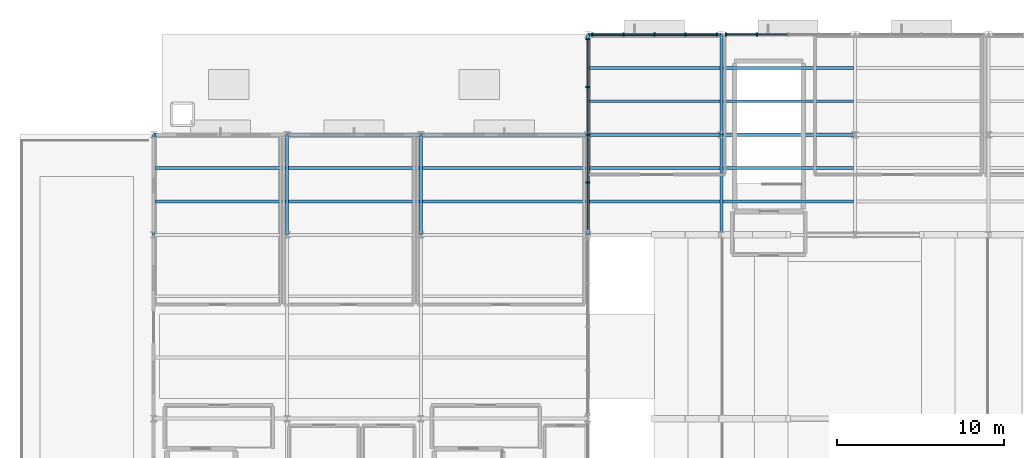
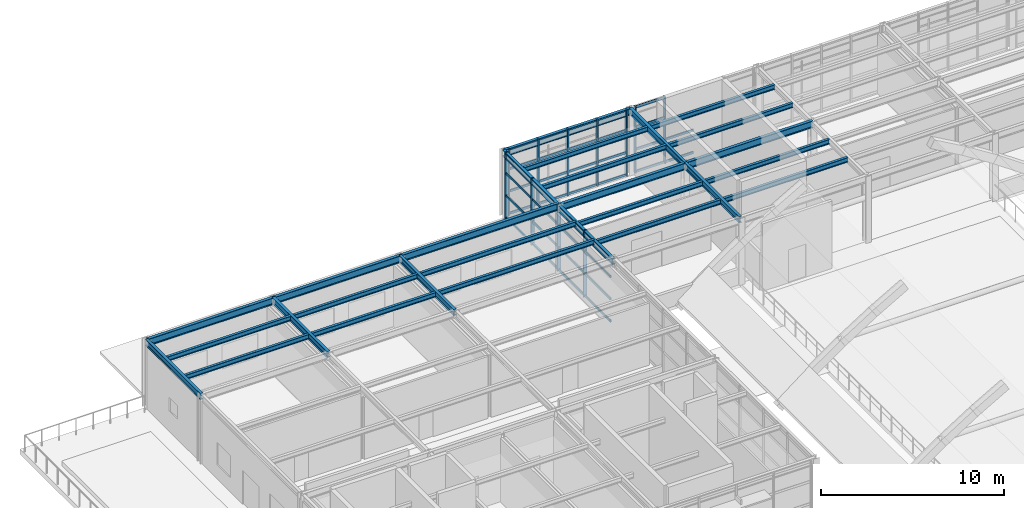
# One storey, part 30 of 82: 49 members, 27 beams, 3 elements without a shape of their own.
"""IFC4 building model written with IfcOpenShell, lengths in metres."""

from ifc_helpers import new_model, si_unit, direction, frame, origin, origin_2d, place, context, subcontext, project, spatial, rectangle, i_section, extrude, material, layer, layer_set, material_profile, profile_set, type_object, element, aggregate, save


model = new_model("IFC4")

# Units and contexts
model_context = context("Model", 3, precision=1e-05, world=origin(), true_north=direction((0.0, 1.0)))
body_context = subcontext(model_context, "Body", "Model", "MODEL_VIEW")
ifc_project = project(units=[si_unit("LENGTHUNIT", "METRE"), si_unit("AREAUNIT", "SQUARE_METRE"), si_unit("VOLUMEUNIT", "CUBIC_METRE"), si_unit("PLANEANGLEUNIT", "RADIAN"), si_unit("MASSUNIT", "GRAM", prefix="KILO")], contexts=[model_context])

# Site, building, storey
site_placement = place(None, origin())
site = spatial("IfcSite", under=ifc_project, at=site_placement, CompositionType="ELEMENT")
building_placement = place(site_placement, origin())
building = spatial("IfcBuilding", under=site, at=building_placement, Name="Sitalva Quay Ferry Terminal", CompositionType="ELEMENT")
storey_placement = place(building_placement, frame((0.0, 0.0, 5.39990234375)))
storey = spatial("IfcBuildingStorey", under=building, at=storey_placement, Name="L02", CompositionType="ELEMENT", Elevation=5.39990234375)

# Beams
ifc_material_1 = material(Name="Structural Steel S355JR", Category="steel")
ifc_material_profile_1 = material_profile(ifc_material_1, i_section(OverallWidth=0.180908203125, OverallDepth=0.4169921875, WebThickness=0.010986328125, FlangeThickness=0.018310546875, FilletRadius=0.012939453125, at=origin_2d()), Name="W410x85")
ifc_profile_set_1 = profile_set([ifc_material_profile_1], Name="Structural Steel S355JR")
beam_type_1 = type_object("IfcBeamType", Name="Beam_W410x85", PredefinedType="BEAM", material=ifc_profile_set_1)
for number, where, z_axis, x_axis, name in (
    (1, (16.0, 100.0, 4.3515625), (0.0, 1.0, 0.0), (-1.0, 0.0, 0.0), "L02 Primary Y girder 0972"),
    (2, (24.0, 100.0, 4.3515625), (0.0, 1.0, 0.0), (-1.0, 0.0, 0.0), "L02 Primary Y girder 0975"),
    (3, (32.0, 100.0, 4.3515625), (0.0, 1.0, 0.0), (-1.0, 0.0, 0.0), "L02 Primary Y girder 0978"),
    (4, (42.0, 100.0, 4.24169921875), (0.0, 1.0, 0.0), (-1.0, 0.0, 0.0), "L02 Primary Y girder 0981"),
    (5, (42.0, 106.0, 4.24169921875), (0.0, 1.0, 0.0), (-1.0, 0.0, 0.0), "L02 Primary Y girder 1141"),
    (6, (50.0, 100.0, 4.24169921875), (0.0, 1.0, 0.0), (-1.0, 0.0, 0.0), "L02 Primary Y girder 1142"),
    (7, (50.0, 106.0, 4.24169921875), (0.0, 1.0, 0.0), (-1.0, 0.0, 0.0), "L02 Primary Y girder 1143"),
):
    element("IfcBeam", number, at=place(storey_placement, frame(where, z_axis=z_axis, x_axis=x_axis)), inside=storey, type_object=beam_type_1, Name=name, PredefinedType="BEAM", context=body_context, shape_type="SweptSolid", body=[
        extrude(i_section(OverallWidth=0.180908203125, OverallDepth=0.4169921875, WebThickness=0.010986328125, FlangeThickness=0.018310546875, FilletRadius=0.012939453125, at=origin_2d()), origin(), (0.0, 0.0, 1.0), 6.0),
    ])
ifc_material_2 = material(Name="Structural Steel S355JR", Category="steel")
ifc_material_profile_2 = material_profile(ifc_material_2, i_section(OverallWidth=0.19091796875, OverallDepth=0.4599609375, WebThickness=0.010009765625, FlangeThickness=0.01611328125, FilletRadius=0.013916015625, at=origin_2d()), Name="W460x82")
ifc_profile_set_2 = profile_set([ifc_material_profile_2], Name="Structural Steel S355JR")
beam_type_2 = type_object("IfcBeamType", Name="Beam_W460x82", PredefinedType="BEAM", material=ifc_profile_set_2)
for number, where, z_axis, x_axis, name in (
    (8, (16.0, 106.0, 4.330078125), (1.0, 0.0, 0.0), (0.0, 1.0, 0.0), "L02 Primary X girder 0967"),
    (9, (24.0, 106.0, 4.330078125), (1.0, 0.0, 0.0), (0.0, 1.0, 0.0), "L02 Primary X girder 0968"),
):
    element("IfcBeam", number, at=place(storey_placement, frame(where, z_axis=z_axis, x_axis=x_axis)), inside=storey, type_object=beam_type_2, Name=name, PredefinedType="BEAM", context=body_context, shape_type="SweptSolid", body=[
        extrude(i_section(OverallWidth=0.19091796875, OverallDepth=0.4599609375, WebThickness=0.010009765625, FlangeThickness=0.01611328125, FilletRadius=0.013916015625, at=origin_2d()), origin(), (0.0, 0.0, 1.0), 8.0),
    ])
beam_1_placement = place(storey_placement, frame((32.0, 106.0, 4.330078125), z_axis=(1.0, 0.0, 0.0), x_axis=(0.0, 1.0, 0.0)))
element("IfcBeam", 10, at=beam_1_placement, inside=storey, type_object=beam_type_2, Name="L02 Primary X girder 0969", PredefinedType="BEAM", context=body_context, shape_type="SweptSolid", body=[
    extrude(i_section(OverallWidth=0.19091796875, OverallDepth=0.4599609375, WebThickness=0.010009765625, FlangeThickness=0.01611328125, FilletRadius=0.013916015625, at=origin_2d()), origin(), (0.0, 0.0, 1.0), 10.0),
])
for number, where, z_axis, x_axis, name in (
    (11, (42.0, 106.0, 4.22021484375), (1.0, 0.0, 0.0), (0.0, 1.0, 0.0), "L02 Primary X girder 1133"),
    (12, (50.0, 106.0, 4.22021484375), (1.0, 0.0, 0.0), (0.0, 1.0, 0.0), "L02 Primary X girder 1134"),
    (13, (42.0, 112.0, 4.22021484375), (1.0, 0.0, 0.0), (0.0, 1.0, 0.0), "L02 Primary X girder 1137"),
):
    element("IfcBeam", number, at=place(storey_placement, frame(where, z_axis=z_axis, x_axis=x_axis)), inside=storey, type_object=beam_type_2, Name=name, PredefinedType="BEAM", context=body_context, shape_type="SweptSolid", body=[
        extrude(i_section(OverallWidth=0.19091796875, OverallDepth=0.4599609375, WebThickness=0.010009765625, FlangeThickness=0.01611328125, FilletRadius=0.013916015625, at=origin_2d()), origin(), (0.0, 0.0, 1.0), 8.0),
    ])
ifc_material_3 = material(Name="Structural Steel S355JR", Category="steel")
ifc_material_profile_3 = material_profile(ifc_material_3, i_section(OverallWidth=0.166015625, OverallDepth=0.31298828125, WebThickness=0.006591796875, FlangeThickness=0.01123046875, FilletRadius=0.010986328125, at=origin_2d()), Name="W310x45")
ifc_profile_set_3 = profile_set([ifc_material_profile_3], Name="Structural Steel S355JR")
beam_type_3 = type_object("IfcBeamType", Name="Joist_W310x45", PredefinedType="JOIST", material=ifc_profile_set_3)
for number, where, z_axis, x_axis, name in (
    (14, (16.090576171875, 102.0, 4.403564453125), (1.0, 0.0, 0.0), (0.0, 1.0, 0.0), "L02 Secondary joist 0994"),
    (15, (24.090576171875, 102.0, 4.403564453125), (1.0, 0.0, 0.0), (0.0, 1.0, 0.0), "L02 Secondary joist 0995"),
):
    element("IfcBeam", number, at=place(storey_placement, frame(where, z_axis=z_axis, x_axis=x_axis)), inside=storey, type_object=beam_type_3, Name=name, PredefinedType="JOIST", context=body_context, shape_type="SweptSolid", body=[
        extrude(i_section(OverallWidth=0.166015625, OverallDepth=0.31298828125, WebThickness=0.006591796875, FlangeThickness=0.01123046875, FilletRadius=0.010986328125, at=origin_2d()), origin(), (0.0, 0.0, 1.0), 7.81884765625),
    ])
beam_2_placement = place(storey_placement, frame((32.090576171875, 102.0, 4.403564453125), z_axis=(1.0, 0.0, 0.0), x_axis=(0.0, 1.0, 0.0)))
element("IfcBeam", 16, at=beam_2_placement, inside=storey, type_object=beam_type_3, Name="L02 Secondary joist 0996", PredefinedType="JOIST", context=body_context, shape_type="SweptSolid", body=[
    extrude(i_section(OverallWidth=0.166015625, OverallDepth=0.31298828125, WebThickness=0.006591796875, FlangeThickness=0.01123046875, FilletRadius=0.010986328125, at=origin_2d()), origin(), (0.0, 0.0, 1.0), 9.81884765625),
])
for number, where, z_axis, x_axis, name in (
    (17, (16.090576171875, 104.0, 4.403564453125), (1.0, 0.0, 0.0), (0.0, 1.0, 0.0), "L02 Secondary joist 0997"),
    (18, (24.090576171875, 104.0, 4.403564453125), (1.0, 0.0, 0.0), (0.0, 1.0, 0.0), "L02 Secondary joist 0998"),
):
    element("IfcBeam", number, at=place(storey_placement, frame(where, z_axis=z_axis, x_axis=x_axis)), inside=storey, type_object=beam_type_3, Name=name, PredefinedType="JOIST", context=body_context, shape_type="SweptSolid", body=[
        extrude(i_section(OverallWidth=0.166015625, OverallDepth=0.31298828125, WebThickness=0.006591796875, FlangeThickness=0.01123046875, FilletRadius=0.010986328125, at=origin_2d()), origin(), (0.0, 0.0, 1.0), 7.81884765625),
    ])
beam_3_placement = place(storey_placement, frame((32.090576171875, 104.0, 4.403564453125), z_axis=(1.0, 0.0, 0.0), x_axis=(0.0, 1.0, 0.0)))
element("IfcBeam", 19, at=beam_3_placement, inside=storey, type_object=beam_type_3, Name="L02 Secondary joist 0999", PredefinedType="JOIST", context=body_context, shape_type="SweptSolid", body=[
    extrude(i_section(OverallWidth=0.166015625, OverallDepth=0.31298828125, WebThickness=0.006591796875, FlangeThickness=0.01123046875, FilletRadius=0.010986328125, at=origin_2d()), origin(), (0.0, 0.0, 1.0), 9.81884765625),
])
for number, where, z_axis, x_axis, name in (
    (20, (42.090576171875, 102.0, 4.293701171875), (1.0, 0.0, 0.0), (0.0, 1.0, 0.0), "L02 Secondary joist 1149"),
    (21, (50.090576171875, 102.0, 4.293701171875), (1.0, 0.0, 0.0), (0.0, 1.0, 0.0), "L02 Secondary joist 1150"),
    (22, (42.090576171875, 104.0, 4.293701171875), (1.0, 0.0, 0.0), (0.0, 1.0, 0.0), "L02 Secondary joist 1153"),
    (23, (50.090576171875, 104.0, 4.293701171875), (1.0, 0.0, 0.0), (0.0, 1.0, 0.0), "L02 Secondary joist 1154"),
    (24, (42.090576171875, 108.0, 4.293701171875), (1.0, 0.0, 0.0), (0.0, 1.0, 0.0), "L02 Secondary joist 1157"),
    (25, (50.090576171875, 108.0, 4.293701171875), (1.0, 0.0, 0.0), (0.0, 1.0, 0.0), "L02 Secondary joist 1158"),
    (26, (42.090576171875, 110.0, 4.293701171875), (1.0, 0.0, 0.0), (0.0, 1.0, 0.0), "L02 Secondary joist 1161"),
    (27, (50.090576171875, 110.0, 4.293701171875), (1.0, 0.0, 0.0), (0.0, 1.0, 0.0), "L02 Secondary joist 1162"),
):
    element("IfcBeam", number, at=place(storey_placement, frame(where, z_axis=z_axis, x_axis=x_axis)), inside=storey, type_object=beam_type_3, Name=name, PredefinedType="JOIST", context=body_context, shape_type="SweptSolid", body=[
        extrude(i_section(OverallWidth=0.166015625, OverallDepth=0.31298828125, WebThickness=0.006591796875, FlangeThickness=0.01123046875, FilletRadius=0.010986328125, at=origin_2d()), origin(), (0.0, 0.0, 1.0), 7.81884765625),
    ])

# Curtain wall, members
ifc_material_4 = material(Name="Anodised Aluminium & Low-E Glazing", Category="aluminium")
ifc_layer = layer(ifc_material_4, 0.159912109375)
ifc_layer_set = layer_set([ifc_layer], Name="Anodised Aluminium & Low-E Glazing")
curtain_wall_type = type_object("IfcCurtainWallType", Name="CW_Office_Unitised", PredefinedType="USERDEFINED", material=ifc_layer_set)
curtain_wall_1_placement = place(storey_placement, origin())
curtain_wall_1 = element("IfcCurtainWall", 28, at=curtain_wall_1_placement, inside=storey, type_object=curtain_wall_type, Name="L02 forecourt west return glazing (CW-L02-113)", ObjectType="CURTAIN_WALL", PredefinedType="USERDEFINED")
ifc_material_5 = material(Name="Anodised Aluminium 6063-T6", Category="aluminium")
ifc_material_profile_4 = material_profile(ifc_material_5, rectangle(XDim=0.074951171875, YDim=0.219970703125, at=origin_2d()), Name="ALU75x220")
ifc_profile_set_4 = profile_set([ifc_material_profile_4], Name="Anodised Aluminium 6063-T6")
member_type_1 = type_object("IfcMemberType", Name="Mullion_Alu_75x160", PredefinedType="MULLION", material=ifc_profile_set_4)
member_1_placement = place(storey_placement, frame((42.0, 103.139892578125, 0.0), z_axis=(0.0, 0.0, 1.0), x_axis=(0.0, 1.0, 0.0)))
member_1 = element("IfcMember", 29, at=member_1_placement, type_object=member_type_1, Name="CW-L02-113-M1", PredefinedType="MULLION", context=body_context, shape_type="SweptSolid", body=[
    extrude(rectangle(XDim=0.074951171875, YDim=0.219970703125, at=origin_2d()), origin(), (0.0, 0.0, 1.0), 4.4501953125),
])
member_2_placement = place(storey_placement, frame((42.0, 106.0, 0.0), z_axis=(0.0, 0.0, 1.0), x_axis=(0.0, 1.0, 0.0)))
member_2 = element("IfcMember", 30, at=member_2_placement, type_object=member_type_1, Name="CW-L02-113-M2", PredefinedType="MULLION", context=body_context, shape_type="SweptSolid", body=[
    extrude(rectangle(XDim=0.074951171875, YDim=0.219970703125, at=origin_2d()), origin(), (0.0, 0.0, 1.0), 4.4501953125),
])
member_3_placement = place(storey_placement, frame((42.0, 108.860107421875, 0.0), z_axis=(0.0, 0.0, 1.0), x_axis=(0.0, 1.0, 0.0)))
member_3 = element("IfcMember", 31, at=member_3_placement, type_object=member_type_1, Name="CW-L02-113-M3", PredefinedType="MULLION", context=body_context, shape_type="SweptSolid", body=[
    extrude(rectangle(XDim=0.074951171875, YDim=0.219970703125, at=origin_2d()), origin(), (0.0, 0.0, 1.0), 4.4501953125),
])
member_4_placement = place(storey_placement, frame((42.0, 111.719970703125, 0.0), z_axis=(0.0, 0.0, 1.0), x_axis=(0.0, 1.0, 0.0)))
member_4 = element("IfcMember", 32, at=member_4_placement, type_object=member_type_1, Name="CW-L02-113-M4", PredefinedType="MULLION", context=body_context, shape_type="SweptSolid", body=[
    extrude(rectangle(XDim=0.074951171875, YDim=0.219970703125, at=origin_2d()), origin(), (0.0, 0.0, 1.0), 4.4501953125),
])

curtain_wall_2_placement = place(storey_placement, origin())
curtain_wall_2 = element("IfcCurtainWall", 33, at=curtain_wall_2_placement, inside=storey, type_object=curtain_wall_type, Name="L02 forecourt horizontal curtain wall (CW-L02-115)", ObjectType="CURTAIN_WALL", PredefinedType="USERDEFINED")
member_5_placement = place(storey_placement, frame((42.280029296875, 112.0, 0.0), z_axis=(0.0, 0.0, 1.0), x_axis=(1.0, 0.0, 0.0)))
member_5 = element("IfcMember", 34, at=member_5_placement, type_object=member_type_1, Name="CW-L02-115-M0", PredefinedType="MULLION", context=body_context, shape_type="SweptSolid", body=[
    extrude(rectangle(XDim=0.074951171875, YDim=0.219970703125, at=origin_2d()), origin(), (0.0, 0.0, 1.0), 4.4501953125),
])
member_6_placement = place(storey_placement, frame((44.139892578125, 112.0, 0.0), z_axis=(0.0, 0.0, 1.0), x_axis=(1.0, 0.0, 0.0)))
member_6 = element("IfcMember", 35, at=member_6_placement, type_object=member_type_1, Name="CW-L02-115-M1", PredefinedType="MULLION", context=body_context, shape_type="SweptSolid", body=[
    extrude(rectangle(XDim=0.074951171875, YDim=0.219970703125, at=origin_2d()), origin(), (0.0, 0.0, 1.0), 4.4501953125),
])
member_7_placement = place(storey_placement, frame((46.0, 112.0, 0.0), z_axis=(0.0, 0.0, 1.0), x_axis=(1.0, 0.0, 0.0)))
member_7 = element("IfcMember", 36, at=member_7_placement, type_object=member_type_1, Name="CW-L02-115-M2", PredefinedType="MULLION", context=body_context, shape_type="SweptSolid", body=[
    extrude(rectangle(XDim=0.074951171875, YDim=0.219970703125, at=origin_2d()), origin(), (0.0, 0.0, 1.0), 4.4501953125),
])
member_8_placement = place(storey_placement, frame((47.860107421875, 112.0, 0.0), z_axis=(0.0, 0.0, 1.0), x_axis=(1.0, 0.0, 0.0)))
member_8 = element("IfcMember", 37, at=member_8_placement, type_object=member_type_1, Name="CW-L02-115-M3", PredefinedType="MULLION", context=body_context, shape_type="SweptSolid", body=[
    extrude(rectangle(XDim=0.074951171875, YDim=0.219970703125, at=origin_2d()), origin(), (0.0, 0.0, 1.0), 4.4501953125),
])
member_9_placement = place(storey_placement, frame((49.719970703125, 112.0, 0.0), z_axis=(0.0, 0.0, 1.0), x_axis=(1.0, 0.0, 0.0)))
member_9 = element("IfcMember", 38, at=member_9_placement, type_object=member_type_1, Name="CW-L02-115-M4", PredefinedType="MULLION", context=body_context, shape_type="SweptSolid", body=[
    extrude(rectangle(XDim=0.074951171875, YDim=0.219970703125, at=origin_2d()), origin(), (0.0, 0.0, 1.0), 4.4501953125),
])

curtain_wall_3_placement = place(storey_placement, origin())
curtain_wall_3 = element("IfcCurtainWall", 39, at=curtain_wall_3_placement, inside=storey, type_object=curtain_wall_type, Name="L02 forecourt horizontal curtain wall (CW-L02-116)", ObjectType="CURTAIN_WALL", PredefinedType="USERDEFINED")
member_10_placement = place(storey_placement, frame((50.280029296875, 112.0, 0.0), z_axis=(0.0, 0.0, 1.0), x_axis=(1.0, 0.0, 0.0)))
member_10 = element("IfcMember", 40, at=member_10_placement, type_object=member_type_1, Name="CW-L02-116-M0", PredefinedType="MULLION", context=body_context, shape_type="SweptSolid", body=[
    extrude(rectangle(XDim=0.074951171875, YDim=0.219970703125, at=origin_2d()), origin(), (0.0, 0.0, 1.0), 4.4501953125),
])
member_11_placement = place(storey_placement, frame((52.139892578125, 112.0, 0.0), z_axis=(0.0, 0.0, 1.0), x_axis=(1.0, 0.0, 0.0)))
member_11 = element("IfcMember", 41, at=member_11_placement, type_object=member_type_1, Name="CW-L02-116-M1", PredefinedType="MULLION", context=body_context, shape_type="SweptSolid", body=[
    extrude(rectangle(XDim=0.074951171875, YDim=0.219970703125, at=origin_2d()), origin(), (0.0, 0.0, 1.0), 4.4501953125),
])

# Member
ifc_material_6 = material(Name="Anodised Aluminium 6063-T6", Category="aluminium")
ifc_material_profile_5 = material_profile(ifc_material_6, rectangle(XDim=0.074951171875, YDim=0.14990234375, at=origin_2d()), Name="ALU75x150")
ifc_profile_set_5 = profile_set([ifc_material_profile_5], Name="Anodised Aluminium 6063-T6")
member_type_2 = type_object("IfcMemberType", Name="Transom_Alu_75x140", PredefinedType="MULLION", material=ifc_profile_set_5)
member_12_placement = place(storey_placement, frame((42.0, 100.3173828125, 0.0751953125), z_axis=(0.0, 1.0, 0.0), x_axis=(-1.0, 0.0, 0.0)))
member_12 = element("IfcMember", 42, at=member_12_placement, type_object=member_type_2, Name="CW-L02-113-T0-0", ObjectType="TRANSOM", PredefinedType="USERDEFINED", context=body_context, shape_type="SweptSolid", body=[
    extrude(rectangle(XDim=0.074951171875, YDim=0.14990234375, at=origin_2d()), origin(), (0.0, 0.0, 1.0), 2.78515625),
])

member_13_placement = place(storey_placement, frame((42.0, 100.3173828125, 1.558349609375), z_axis=(0.0, 1.0, 0.0), x_axis=(-1.0, 0.0, 0.0)))
member_13 = element("IfcMember", 43, at=member_13_placement, type_object=member_type_2, Name="CW-L02-113-T0-1", ObjectType="TRANSOM", PredefinedType="USERDEFINED", context=body_context, shape_type="SweptSolid", body=[
    extrude(rectangle(XDim=0.074951171875, YDim=0.14990234375, at=origin_2d()), origin(), (0.0, 0.0, 1.0), 2.78515625),
])

member_14_placement = place(storey_placement, frame((42.0, 100.3173828125, 3.041748046875), z_axis=(0.0, 1.0, 0.0), x_axis=(-1.0, 0.0, 0.0)))
member_14 = element("IfcMember", 44, at=member_14_placement, type_object=member_type_2, Name="CW-L02-113-T0-2", ObjectType="TRANSOM", PredefinedType="USERDEFINED", context=body_context, shape_type="SweptSolid", body=[
    extrude(rectangle(XDim=0.074951171875, YDim=0.14990234375, at=origin_2d()), origin(), (0.0, 0.0, 1.0), 2.78515625),
])

member_15_placement = place(storey_placement, frame((42.0, 100.3173828125, 4.375), z_axis=(0.0, 1.0, 0.0), x_axis=(-1.0, 0.0, 0.0)))
member_15 = element("IfcMember", 45, at=member_15_placement, type_object=member_type_2, Name="CW-L02-113-T0-3", ObjectType="TRANSOM", PredefinedType="USERDEFINED", context=body_context, shape_type="SweptSolid", body=[
    extrude(rectangle(XDim=0.074951171875, YDim=0.14990234375, at=origin_2d()), origin(), (0.0, 0.0, 1.0), 2.78515625),
])

member_16_placement = place(storey_placement, frame((42.0, 103.177490234375, 0.0751953125), z_axis=(0.0, 1.0, 0.0), x_axis=(-1.0, 0.0, 0.0)))
member_16 = element("IfcMember", 46, at=member_16_placement, type_object=member_type_2, Name="CW-L02-113-T1-0", ObjectType="TRANSOM", PredefinedType="USERDEFINED", context=body_context, shape_type="SweptSolid", body=[
    extrude(rectangle(XDim=0.074951171875, YDim=0.14990234375, at=origin_2d()), origin(), (0.0, 0.0, 1.0), 2.784912109375),
])

member_17_placement = place(storey_placement, frame((42.0, 103.177490234375, 1.558349609375), z_axis=(0.0, 1.0, 0.0), x_axis=(-1.0, 0.0, 0.0)))
member_17 = element("IfcMember", 47, at=member_17_placement, type_object=member_type_2, Name="CW-L02-113-T1-1", ObjectType="TRANSOM", PredefinedType="USERDEFINED", context=body_context, shape_type="SweptSolid", body=[
    extrude(rectangle(XDim=0.074951171875, YDim=0.14990234375, at=origin_2d()), origin(), (0.0, 0.0, 1.0), 2.784912109375),
])

member_18_placement = place(storey_placement, frame((42.0, 103.177490234375, 3.041748046875), z_axis=(0.0, 1.0, 0.0), x_axis=(-1.0, 0.0, 0.0)))
member_18 = element("IfcMember", 48, at=member_18_placement, type_object=member_type_2, Name="CW-L02-113-T1-2", ObjectType="TRANSOM", PredefinedType="USERDEFINED", context=body_context, shape_type="SweptSolid", body=[
    extrude(rectangle(XDim=0.074951171875, YDim=0.14990234375, at=origin_2d()), origin(), (0.0, 0.0, 1.0), 2.784912109375),
])

member_19_placement = place(storey_placement, frame((42.0, 103.177490234375, 4.375), z_axis=(0.0, 1.0, 0.0), x_axis=(-1.0, 0.0, 0.0)))
member_19 = element("IfcMember", 49, at=member_19_placement, type_object=member_type_2, Name="CW-L02-113-T1-3", ObjectType="TRANSOM", PredefinedType="USERDEFINED", context=body_context, shape_type="SweptSolid", body=[
    extrude(rectangle(XDim=0.074951171875, YDim=0.14990234375, at=origin_2d()), origin(), (0.0, 0.0, 1.0), 2.784912109375),
])

member_20_placement = place(storey_placement, frame((42.0, 106.03759765625, 0.0751953125), z_axis=(0.0, 1.0, 0.0), x_axis=(-1.0, 0.0, 0.0)))
member_20 = element("IfcMember", 50, at=member_20_placement, type_object=member_type_2, Name="CW-L02-113-T2-0", ObjectType="TRANSOM", PredefinedType="USERDEFINED", context=body_context, shape_type="SweptSolid", body=[
    extrude(rectangle(XDim=0.074951171875, YDim=0.14990234375, at=origin_2d()), origin(), (0.0, 0.0, 1.0), 2.784912109375),
])

member_21_placement = place(storey_placement, frame((42.0, 106.03759765625, 1.558349609375), z_axis=(0.0, 1.0, 0.0), x_axis=(-1.0, 0.0, 0.0)))
member_21 = element("IfcMember", 51, at=member_21_placement, type_object=member_type_2, Name="CW-L02-113-T2-1", ObjectType="TRANSOM", PredefinedType="USERDEFINED", context=body_context, shape_type="SweptSolid", body=[
    extrude(rectangle(XDim=0.074951171875, YDim=0.14990234375, at=origin_2d()), origin(), (0.0, 0.0, 1.0), 2.784912109375),
])

member_22_placement = place(storey_placement, frame((42.0, 106.03759765625, 3.041748046875), z_axis=(0.0, 1.0, 0.0), x_axis=(-1.0, 0.0, 0.0)))
member_22 = element("IfcMember", 52, at=member_22_placement, type_object=member_type_2, Name="CW-L02-113-T2-2", ObjectType="TRANSOM", PredefinedType="USERDEFINED", context=body_context, shape_type="SweptSolid", body=[
    extrude(rectangle(XDim=0.074951171875, YDim=0.14990234375, at=origin_2d()), origin(), (0.0, 0.0, 1.0), 2.784912109375),
])

member_23_placement = place(storey_placement, frame((42.0, 106.03759765625, 4.375), z_axis=(0.0, 1.0, 0.0), x_axis=(-1.0, 0.0, 0.0)))
member_23 = element("IfcMember", 53, at=member_23_placement, type_object=member_type_2, Name="CW-L02-113-T2-3", ObjectType="TRANSOM", PredefinedType="USERDEFINED", context=body_context, shape_type="SweptSolid", body=[
    extrude(rectangle(XDim=0.074951171875, YDim=0.14990234375, at=origin_2d()), origin(), (0.0, 0.0, 1.0), 2.784912109375),
])

member_24_placement = place(storey_placement, frame((42.0, 108.8974609375, 0.0751953125), z_axis=(0.0, 1.0, 0.0), x_axis=(-1.0, 0.0, 0.0)))
member_24 = element("IfcMember", 54, at=member_24_placement, type_object=member_type_2, Name="CW-L02-113-T3-0", ObjectType="TRANSOM", PredefinedType="USERDEFINED", context=body_context, shape_type="SweptSolid", body=[
    extrude(rectangle(XDim=0.074951171875, YDim=0.14990234375, at=origin_2d()), origin(), (0.0, 0.0, 1.0), 2.78515625),
])

member_25_placement = place(storey_placement, frame((42.0, 108.8974609375, 1.558349609375), z_axis=(0.0, 1.0, 0.0), x_axis=(-1.0, 0.0, 0.0)))
member_25 = element("IfcMember", 55, at=member_25_placement, type_object=member_type_2, Name="CW-L02-113-T3-1", ObjectType="TRANSOM", PredefinedType="USERDEFINED", context=body_context, shape_type="SweptSolid", body=[
    extrude(rectangle(XDim=0.074951171875, YDim=0.14990234375, at=origin_2d()), origin(), (0.0, 0.0, 1.0), 2.78515625),
])

member_26_placement = place(storey_placement, frame((42.0, 108.8974609375, 3.041748046875), z_axis=(0.0, 1.0, 0.0), x_axis=(-1.0, 0.0, 0.0)))
member_26 = element("IfcMember", 56, at=member_26_placement, type_object=member_type_2, Name="CW-L02-113-T3-2", ObjectType="TRANSOM", PredefinedType="USERDEFINED", context=body_context, shape_type="SweptSolid", body=[
    extrude(rectangle(XDim=0.074951171875, YDim=0.14990234375, at=origin_2d()), origin(), (0.0, 0.0, 1.0), 2.78515625),
])

member_27_placement = place(storey_placement, frame((42.0, 108.8974609375, 4.375), z_axis=(0.0, 1.0, 0.0), x_axis=(-1.0, 0.0, 0.0)))
member_27 = element("IfcMember", 57, at=member_27_placement, type_object=member_type_2, Name="CW-L02-113-T3-3", ObjectType="TRANSOM", PredefinedType="USERDEFINED", context=body_context, shape_type="SweptSolid", body=[
    extrude(rectangle(XDim=0.074951171875, YDim=0.14990234375, at=origin_2d()), origin(), (0.0, 0.0, 1.0), 2.78515625),
])

aggregate(curtain_wall_1, [member_1, member_2, member_3, member_4, member_12, member_13, member_14, member_15, member_16, member_17, member_18, member_19, member_20, member_21, member_22, member_23, member_24, member_25, member_26, member_27])

member_28_placement = place(storey_placement, frame((42.3173828125, 112.0, 0.0751953125), z_axis=(1.0, 0.0, 0.0), x_axis=(0.0, 1.0, 0.0)))
member_28 = element("IfcMember", 58, at=member_28_placement, type_object=member_type_2, Name="CW-L02-115-T0-0", ObjectType="TRANSOM", PredefinedType="USERDEFINED", context=body_context, shape_type="SweptSolid", body=[
    extrude(rectangle(XDim=0.074951171875, YDim=0.14990234375, at=origin_2d()), origin(), (0.0, 0.0, 1.0), 1.78515625),
])

member_29_placement = place(storey_placement, frame((42.3173828125, 112.0, 1.558349609375), z_axis=(1.0, 0.0, 0.0), x_axis=(0.0, 1.0, 0.0)))
member_29 = element("IfcMember", 59, at=member_29_placement, type_object=member_type_2, Name="CW-L02-115-T0-1", ObjectType="TRANSOM", PredefinedType="USERDEFINED", context=body_context, shape_type="SweptSolid", body=[
    extrude(rectangle(XDim=0.074951171875, YDim=0.14990234375, at=origin_2d()), origin(), (0.0, 0.0, 1.0), 1.78515625),
])

member_30_placement = place(storey_placement, frame((42.3173828125, 112.0, 3.041748046875), z_axis=(1.0, 0.0, 0.0), x_axis=(0.0, 1.0, 0.0)))
member_30 = element("IfcMember", 60, at=member_30_placement, type_object=member_type_2, Name="CW-L02-115-T0-2", ObjectType="TRANSOM", PredefinedType="USERDEFINED", context=body_context, shape_type="SweptSolid", body=[
    extrude(rectangle(XDim=0.074951171875, YDim=0.14990234375, at=origin_2d()), origin(), (0.0, 0.0, 1.0), 1.78515625),
])

member_31_placement = place(storey_placement, frame((42.3173828125, 112.0, 4.375), z_axis=(1.0, 0.0, 0.0), x_axis=(0.0, 1.0, 0.0)))
member_31 = element("IfcMember", 61, at=member_31_placement, type_object=member_type_2, Name="CW-L02-115-T0-3", ObjectType="TRANSOM", PredefinedType="USERDEFINED", context=body_context, shape_type="SweptSolid", body=[
    extrude(rectangle(XDim=0.074951171875, YDim=0.14990234375, at=origin_2d()), origin(), (0.0, 0.0, 1.0), 1.78515625),
])

member_32_placement = place(storey_placement, frame((44.177490234375, 112.0, 0.0751953125), z_axis=(1.0, 0.0, 0.0), x_axis=(0.0, 1.0, 0.0)))
member_32 = element("IfcMember", 62, at=member_32_placement, type_object=member_type_2, Name="CW-L02-115-T1-0", ObjectType="TRANSOM", PredefinedType="USERDEFINED", context=body_context, shape_type="SweptSolid", body=[
    extrude(rectangle(XDim=0.074951171875, YDim=0.14990234375, at=origin_2d()), origin(), (0.0, 0.0, 1.0), 1.784912109375),
])

member_33_placement = place(storey_placement, frame((44.177490234375, 112.0, 1.558349609375), z_axis=(1.0, 0.0, 0.0), x_axis=(0.0, 1.0, 0.0)))
member_33 = element("IfcMember", 63, at=member_33_placement, type_object=member_type_2, Name="CW-L02-115-T1-1", ObjectType="TRANSOM", PredefinedType="USERDEFINED", context=body_context, shape_type="SweptSolid", body=[
    extrude(rectangle(XDim=0.074951171875, YDim=0.14990234375, at=origin_2d()), origin(), (0.0, 0.0, 1.0), 1.784912109375),
])

member_34_placement = place(storey_placement, frame((44.177490234375, 112.0, 3.041748046875), z_axis=(1.0, 0.0, 0.0), x_axis=(0.0, 1.0, 0.0)))
member_34 = element("IfcMember", 64, at=member_34_placement, type_object=member_type_2, Name="CW-L02-115-T1-2", ObjectType="TRANSOM", PredefinedType="USERDEFINED", context=body_context, shape_type="SweptSolid", body=[
    extrude(rectangle(XDim=0.074951171875, YDim=0.14990234375, at=origin_2d()), origin(), (0.0, 0.0, 1.0), 1.784912109375),
])

member_35_placement = place(storey_placement, frame((44.177490234375, 112.0, 4.375), z_axis=(1.0, 0.0, 0.0), x_axis=(0.0, 1.0, 0.0)))
member_35 = element("IfcMember", 65, at=member_35_placement, type_object=member_type_2, Name="CW-L02-115-T1-3", ObjectType="TRANSOM", PredefinedType="USERDEFINED", context=body_context, shape_type="SweptSolid", body=[
    extrude(rectangle(XDim=0.074951171875, YDim=0.14990234375, at=origin_2d()), origin(), (0.0, 0.0, 1.0), 1.784912109375),
])

member_36_placement = place(storey_placement, frame((46.03759765625, 112.0, 0.0751953125), z_axis=(1.0, 0.0, 0.0), x_axis=(0.0, 1.0, 0.0)))
member_36 = element("IfcMember", 66, at=member_36_placement, type_object=member_type_2, Name="CW-L02-115-T2-0", ObjectType="TRANSOM", PredefinedType="USERDEFINED", context=body_context, shape_type="SweptSolid", body=[
    extrude(rectangle(XDim=0.074951171875, YDim=0.14990234375, at=origin_2d()), origin(), (0.0, 0.0, 1.0), 1.784912109375),
])

member_37_placement = place(storey_placement, frame((46.03759765625, 112.0, 1.558349609375), z_axis=(1.0, 0.0, 0.0), x_axis=(0.0, 1.0, 0.0)))
member_37 = element("IfcMember", 67, at=member_37_placement, type_object=member_type_2, Name="CW-L02-115-T2-1", ObjectType="TRANSOM", PredefinedType="USERDEFINED", context=body_context, shape_type="SweptSolid", body=[
    extrude(rectangle(XDim=0.074951171875, YDim=0.14990234375, at=origin_2d()), origin(), (0.0, 0.0, 1.0), 1.784912109375),
])

member_38_placement = place(storey_placement, frame((46.03759765625, 112.0, 3.041748046875), z_axis=(1.0, 0.0, 0.0), x_axis=(0.0, 1.0, 0.0)))
member_38 = element("IfcMember", 68, at=member_38_placement, type_object=member_type_2, Name="CW-L02-115-T2-2", ObjectType="TRANSOM", PredefinedType="USERDEFINED", context=body_context, shape_type="SweptSolid", body=[
    extrude(rectangle(XDim=0.074951171875, YDim=0.14990234375, at=origin_2d()), origin(), (0.0, 0.0, 1.0), 1.784912109375),
])

member_39_placement = place(storey_placement, frame((46.03759765625, 112.0, 4.375), z_axis=(1.0, 0.0, 0.0), x_axis=(0.0, 1.0, 0.0)))
member_39 = element("IfcMember", 69, at=member_39_placement, type_object=member_type_2, Name="CW-L02-115-T2-3", ObjectType="TRANSOM", PredefinedType="USERDEFINED", context=body_context, shape_type="SweptSolid", body=[
    extrude(rectangle(XDim=0.074951171875, YDim=0.14990234375, at=origin_2d()), origin(), (0.0, 0.0, 1.0), 1.784912109375),
])

member_40_placement = place(storey_placement, frame((47.8974609375, 112.0, 0.0751953125), z_axis=(1.0, 0.0, 0.0), x_axis=(0.0, 1.0, 0.0)))
member_40 = element("IfcMember", 70, at=member_40_placement, type_object=member_type_2, Name="CW-L02-115-T3-0", ObjectType="TRANSOM", PredefinedType="USERDEFINED", context=body_context, shape_type="SweptSolid", body=[
    extrude(rectangle(XDim=0.074951171875, YDim=0.14990234375, at=origin_2d()), origin(), (0.0, 0.0, 1.0), 1.78515625),
])

member_41_placement = place(storey_placement, frame((47.8974609375, 112.0, 1.558349609375), z_axis=(1.0, 0.0, 0.0), x_axis=(0.0, 1.0, 0.0)))
member_41 = element("IfcMember", 71, at=member_41_placement, type_object=member_type_2, Name="CW-L02-115-T3-1", ObjectType="TRANSOM", PredefinedType="USERDEFINED", context=body_context, shape_type="SweptSolid", body=[
    extrude(rectangle(XDim=0.074951171875, YDim=0.14990234375, at=origin_2d()), origin(), (0.0, 0.0, 1.0), 1.78515625),
])

member_42_placement = place(storey_placement, frame((47.8974609375, 112.0, 3.041748046875), z_axis=(1.0, 0.0, 0.0), x_axis=(0.0, 1.0, 0.0)))
member_42 = element("IfcMember", 72, at=member_42_placement, type_object=member_type_2, Name="CW-L02-115-T3-2", ObjectType="TRANSOM", PredefinedType="USERDEFINED", context=body_context, shape_type="SweptSolid", body=[
    extrude(rectangle(XDim=0.074951171875, YDim=0.14990234375, at=origin_2d()), origin(), (0.0, 0.0, 1.0), 1.78515625),
])

member_43_placement = place(storey_placement, frame((47.8974609375, 112.0, 4.375), z_axis=(1.0, 0.0, 0.0), x_axis=(0.0, 1.0, 0.0)))
member_43 = element("IfcMember", 73, at=member_43_placement, type_object=member_type_2, Name="CW-L02-115-T3-3", ObjectType="TRANSOM", PredefinedType="USERDEFINED", context=body_context, shape_type="SweptSolid", body=[
    extrude(rectangle(XDim=0.074951171875, YDim=0.14990234375, at=origin_2d()), origin(), (0.0, 0.0, 1.0), 1.78515625),
])

aggregate(curtain_wall_2, [member_5, member_6, member_7, member_8, member_9, member_28, member_29, member_30, member_31, member_32, member_33, member_34, member_35, member_36, member_37, member_38, member_39, member_40, member_41, member_42, member_43])

member_44_placement = place(storey_placement, frame((50.3173828125, 112.0, 0.0751953125), z_axis=(1.0, 0.0, 0.0), x_axis=(0.0, 1.0, 0.0)))
member_44 = element("IfcMember", 74, at=member_44_placement, type_object=member_type_2, Name="CW-L02-116-T0-0", ObjectType="TRANSOM", PredefinedType="USERDEFINED", context=body_context, shape_type="SweptSolid", body=[
    extrude(rectangle(XDim=0.074951171875, YDim=0.14990234375, at=origin_2d()), origin(), (0.0, 0.0, 1.0), 1.78515625),
])

member_45_placement = place(storey_placement, frame((50.3173828125, 112.0, 1.558349609375), z_axis=(1.0, 0.0, 0.0), x_axis=(0.0, 1.0, 0.0)))
member_45 = element("IfcMember", 75, at=member_45_placement, type_object=member_type_2, Name="CW-L02-116-T0-1", ObjectType="TRANSOM", PredefinedType="USERDEFINED", context=body_context, shape_type="SweptSolid", body=[
    extrude(rectangle(XDim=0.074951171875, YDim=0.14990234375, at=origin_2d()), origin(), (0.0, 0.0, 1.0), 1.78515625),
])

member_46_placement = place(storey_placement, frame((50.3173828125, 112.0, 3.041748046875), z_axis=(1.0, 0.0, 0.0), x_axis=(0.0, 1.0, 0.0)))
member_46 = element("IfcMember", 76, at=member_46_placement, type_object=member_type_2, Name="CW-L02-116-T0-2", ObjectType="TRANSOM", PredefinedType="USERDEFINED", context=body_context, shape_type="SweptSolid", body=[
    extrude(rectangle(XDim=0.074951171875, YDim=0.14990234375, at=origin_2d()), origin(), (0.0, 0.0, 1.0), 1.78515625),
])

member_47_placement = place(storey_placement, frame((50.3173828125, 112.0, 4.375), z_axis=(1.0, 0.0, 0.0), x_axis=(0.0, 1.0, 0.0)))
member_47 = element("IfcMember", 77, at=member_47_placement, type_object=member_type_2, Name="CW-L02-116-T0-3", ObjectType="TRANSOM", PredefinedType="USERDEFINED", context=body_context, shape_type="SweptSolid", body=[
    extrude(rectangle(XDim=0.074951171875, YDim=0.14990234375, at=origin_2d()), origin(), (0.0, 0.0, 1.0), 1.78515625),
])

member_48_placement = place(storey_placement, frame((52.177490234375, 112.0, 0.0751953125), z_axis=(1.0, 0.0, 0.0), x_axis=(0.0, 1.0, 0.0)))
member_48 = element("IfcMember", 78, at=member_48_placement, type_object=member_type_2, Name="CW-L02-116-T1-0", ObjectType="TRANSOM", PredefinedType="USERDEFINED", context=body_context, shape_type="SweptSolid", body=[
    extrude(rectangle(XDim=0.074951171875, YDim=0.14990234375, at=origin_2d()), origin(), (0.0, 0.0, 1.0), 1.784912109375),
])

member_49_placement = place(storey_placement, frame((52.177490234375, 112.0, 1.558349609375), z_axis=(1.0, 0.0, 0.0), x_axis=(0.0, 1.0, 0.0)))
member_49 = element("IfcMember", 79, at=member_49_placement, type_object=member_type_2, Name="CW-L02-116-T1-1", ObjectType="TRANSOM", PredefinedType="USERDEFINED", context=body_context, shape_type="SweptSolid", body=[
    extrude(rectangle(XDim=0.074951171875, YDim=0.14990234375, at=origin_2d()), origin(), (0.0, 0.0, 1.0), 1.784912109375),
])

aggregate(curtain_wall_3, [member_10, member_11, member_44, member_45, member_46, member_47, member_48, member_49])

save(model, "model.ifc")
